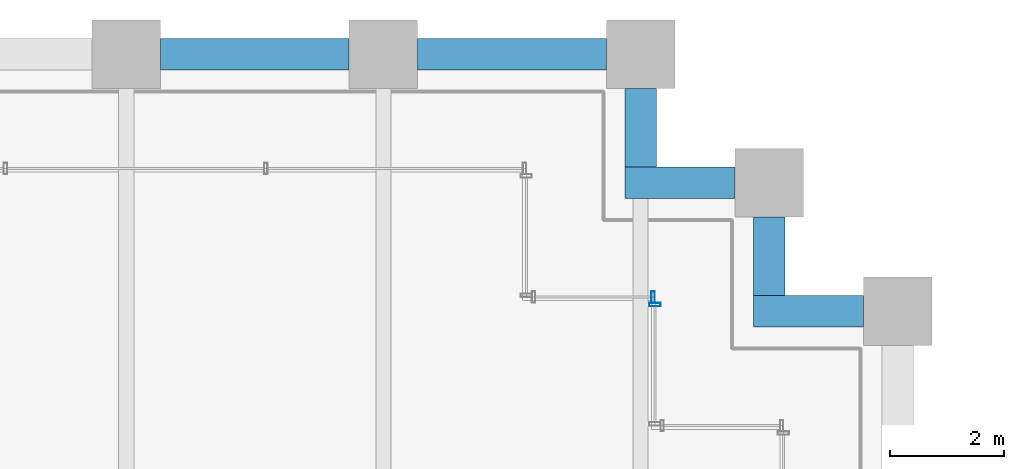
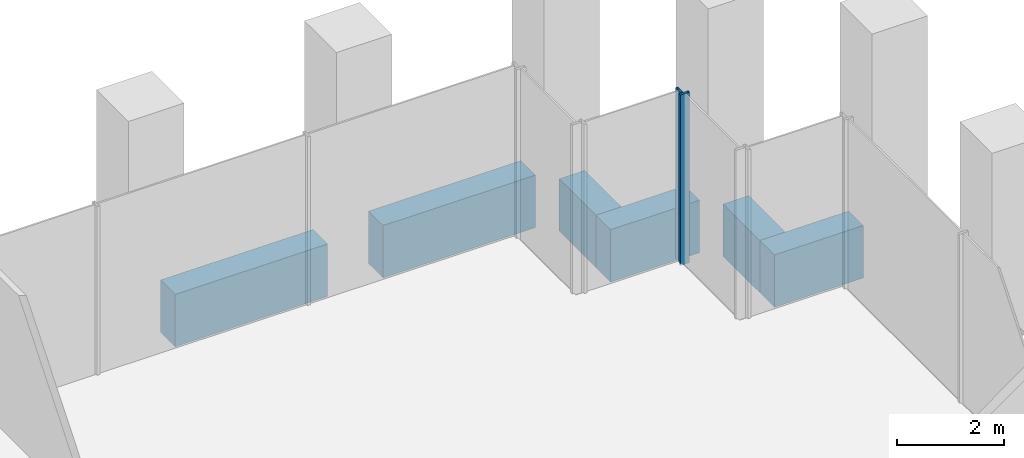
# One storey, part 18 of 36: 6 beams, 2 members, 2 elements without a shape of their own.
"""IFC4 building model written with IfcOpenShell, lengths in metres."""

import ifcopenshell
import ifcopenshell.guid

model = None  # the IFC model being written
_history = None  # IfcOwnerHistory: only IFC2X3 demands one
_inside = {}  # id of a spatial element -> (the spatial element, [elements in it])
_under = {}  # id of a project, library or spatial element -> (it, [spatial elements below it])
_declared = {}  # id of a project -> (the project, [libraries it declares])
_typed = {}  # id of a type object -> (the type object, [elements of that type])
_made_of = {}  # id of a material, layer set ... -> (it, [elements and type objects made of it])


def new_model(schema):
    """Start an empty IFC model of exactly this schema.

    Asked for "IFC4X3", IfcOpenShell would pick the latest addendum, in which some entities
    have other attributes; the version numbers below select the first issue.
    IFC2X3 requires an IfcOwnerHistory on every rooted entity: one is made here for all.
    """
    global model, _history
    if schema == "IFC4X3":
        model = ifcopenshell.file(schema_version=(4, 3, 0, 0))
    else:
        model = ifcopenshell.file(schema=schema)
    _inside.clear()
    _under.clear()
    _declared.clear()
    _typed.clear()
    _made_of.clear()
    _history = None
    if model.schema == "IFC2X3":
        org = make("IfcOrganization", Name="unknown")
        user = make(
            "IfcPersonAndOrganization",
            ThePerson=make("IfcPerson", FamilyName="unknown"),
            TheOrganization=org,
        )
        app = make(
            "IfcApplication",
            ApplicationDeveloper=org,
            Version="unknown",
            ApplicationFullName="unknown",
            ApplicationIdentifier="unknown",
        )
        _history = make(
            "IfcOwnerHistory",
            OwningUser=user,
            OwningApplication=app,
            ChangeAction="ADDED",
            CreationDate=0,
        )
    return model


def make(cls, **values):
    """One entity of the class cls with the attributes given. An attribute that is None is left unset."""
    return model.create_entity(
        cls, **{name: value for name, value in values.items() if value is not None}
    )


def rooted(cls, **values):
    """An entity with a GlobalId (a new one), such as an element, a storey or a relation."""
    return make(cls, GlobalId=ifcopenshell.guid.new(), OwnerHistory=_history, **values)


def si_unit(unit_type, name, prefix=None):
    """IfcSIUnit, for example si_unit("LENGTHUNIT", "METRE", prefix="MILLI")."""
    return make("IfcSIUnit", UnitType=unit_type, Prefix=prefix, Name=name)


def assignment(units):
    """IfcUnitAssignment: the units of a project."""
    return None if units is None else make("IfcUnitAssignment", Units=units)


def point(xyz):
    """IfcCartesianPoint."""
    return None if xyz is None else make("IfcCartesianPoint", Coordinates=xyz)


def direction(xyz):
    """IfcDirection."""
    return None if xyz is None else make("IfcDirection", DirectionRatios=xyz)


def frame(location, z_axis=None, x_axis=None):
    """IfcAxis2Placement3D, a coordinate frame: its origin and axes. An axis left out is left unset."""
    return make(
        "IfcAxis2Placement3D",
        Location=point(location),
        Axis=direction(z_axis),
        RefDirection=direction(x_axis),
    )


def frame_2d(location, x_axis=None):
    """IfcAxis2Placement2D, a coordinate frame in the plane: its origin and x axis."""
    return make(
        "IfcAxis2Placement2D", Location=point(location), RefDirection=direction(x_axis)
    )


def origin():
    """The frame at (0, 0, 0) with its axes left unset."""
    return frame((0.0, 0.0, 0.0))


def origin_2d():
    """The frame at (0, 0) in the plane with its x axis left unset."""
    return frame_2d((0.0, 0.0))


def place(relative_to, where):
    """IfcLocalPlacement: puts the frame where relative to a parent placement (None: the world)."""
    return make(
        "IfcLocalPlacement", PlacementRelTo=relative_to, RelativePlacement=where
    )


def context(
    kind, dimensions, precision=None, world=None, true_north=None, identifier=None
):
    """IfcGeometricRepresentationContext, for example the 3D "Model" context."""
    return make(
        "IfcGeometricRepresentationContext",
        ContextIdentifier=identifier,
        ContextType=kind,
        CoordinateSpaceDimension=dimensions,
        Precision=precision,
        WorldCoordinateSystem=world,
        TrueNorth=true_north,
    )


def subcontext(parent, identifier, kind, view, scale=None):
    """IfcGeometricRepresentationSubContext, for example "Body" below "Model"."""
    return make(
        "IfcGeometricRepresentationSubContext",
        ContextIdentifier=identifier,
        ContextType=kind,
        ParentContext=parent,
        TargetScale=scale,
        TargetView=view,
    )


def project(units=None, contexts=None):
    """IfcProject with its units and contexts."""
    return rooted(
        "IfcProject",
        Name="project",
        RepresentationContexts=contexts,
        UnitsInContext=assignment(units),
    )


def spatial(cls, under=None, at=None, **own):
    """A site, building, storey or space (cls), placed at a placement, below another one or the project."""
    s = rooted(cls, ObjectPlacement=at, **own)
    if under is not None:
        _under.setdefault(under.id(), (under, []))[1].append(s)
    return s


def profile(cls, at=None, kind="AREA", **sizes):
    """A parametric profile (cls). Its sizes go by their IFC names, for example OverallWidth=200.0."""
    return make(cls, ProfileType=kind, Position=at, **sizes)


def rectangle(**sizes):
    """IfcRectangleProfileDef."""
    return profile("IfcRectangleProfileDef", **sizes)


def hollow_rectangle(**sizes):
    """IfcRectangleHollowProfileDef."""
    return profile("IfcRectangleHollowProfileDef", **sizes)


def extrude(swept, where, along, depth):
    """IfcExtrudedAreaSolid: the profile swept, set in the frame where, extruded along a direction by depth."""
    return make(
        "IfcExtrudedAreaSolid",
        SweptArea=swept,
        Position=where,
        ExtrudedDirection=direction(along),
        Depth=depth,
    )


def shape(context_of_items, identifier, shape_type, items):
    """IfcShapeRepresentation: the items that make up one representation, for example the "Body"."""
    return make(
        "IfcShapeRepresentation",
        ContextOfItems=context_of_items,
        RepresentationIdentifier=identifier,
        RepresentationType=shape_type,
        Items=items,
    )


def material(Name=None, Category=None):
    """IfcMaterial."""
    return make("IfcMaterial", Name=Name, Category=Category)


def material_profile(
    of_material, cross_section, Name=None, Category=None, Priority=None
):
    """IfcMaterialProfile: a cross section and its material."""
    return make(
        "IfcMaterialProfile",
        Name=Name,
        Material=of_material,
        Profile=cross_section,
        Priority=Priority,
        Category=Category,
    )


def profile_set(profiles, Name=None, composite=None):
    """IfcMaterialProfileSet."""
    return make(
        "IfcMaterialProfileSet",
        Name=Name,
        MaterialProfiles=profiles,
        CompositeProfile=composite,
    )


def made_of(thing, what):
    """Note that an element or type object is made of a material, layer set ...; save() writes the relation."""
    if what is not None:
        _made_of.setdefault(what.id(), (what, []))[1].append(thing)
    return thing


def type_object(cls, material=None, **own):
    """A type object (cls), such as IfcWallType, which elements share."""
    return made_of(rooted(cls, **own), material)


def element(
    cls,
    number,
    at=None,
    inside=None,
    cuts=None,
    type_object=None,
    material=None,
    context=None,
    identifier="Body",
    shape_type=None,
    held_by="IfcProductDefinitionShape",
    body=None,
    shapes=None,
    **own,
):
    """One element of the class cls, such as IfcWall. Its Tag is "e" and its number.

    at: its placement. inside: the storey or other place that contains it. cuts: it is an
    opening in that element (IfcRelVoidsElement). A single representation is given by context,
    identifier, shape_type and body (its items); several are given by shapes. held_by: the class
    of the entity that holds the representations. save() writes the other relations.
    """
    e = rooted(cls, Tag="e%d" % number, ObjectPlacement=at, **own)
    if body is not None:
        shapes = [shape(context, identifier, shape_type, body)]
    if shapes is not None:
        e.Representation = make(held_by, Representations=shapes)
    if inside is not None:
        _inside.setdefault(inside.id(), (inside, []))[1].append(e)
    if cuts is not None:
        rooted(
            "IfcRelVoidsElement", RelatingBuildingElement=cuts, RelatedOpeningElement=e
        )
    if type_object is not None:
        _typed.setdefault(type_object.id(), (type_object, []))[1].append(e)
    return made_of(e, material)


def aggregate(whole, parts):
    """IfcRelAggregates: a whole, such as a stair, and the parts it consists of."""
    return rooted("IfcRelAggregates", RelatingObject=whole, RelatedObjects=parts)


def save(model, path):
    """Write the relations noted so far, then the file.

    IfcRelAggregates (storeys below a building ...), IfcRelContainedInSpatialStructure (elements
    in a storey), IfcRelDefinesByType, IfcRelAssociatesMaterial and IfcRelDeclares: one each for
    every whole, place, type object, material and project.
    """
    for whole, parts in _under.values():
        aggregate(whole, parts)
    for where, things in _inside.values():
        rooted(
            "IfcRelContainedInSpatialStructure",
            RelatedElements=things,
            RelatingStructure=where,
        )
    for kind, things in _typed.values():
        rooted("IfcRelDefinesByType", RelatedObjects=things, RelatingType=kind)
    for what, things in _made_of.values():
        rooted("IfcRelAssociatesMaterial", RelatedObjects=things, RelatingMaterial=what)
    for by, libraries in _declared.values():
        rooted("IfcRelDeclares", RelatingContext=by, RelatedDefinitions=libraries)
    model.write(path)


model = new_model("IFC4")

# Units and contexts
model_context = context("Model", 3, precision=1e-05, world=origin(), true_north=direction((0.0, 1.0)))
body_context = subcontext(model_context, "Body", "Model", "MODEL_VIEW")
ifc_project = project(units=[si_unit("LENGTHUNIT", "METRE"), si_unit("AREAUNIT", "SQUARE_METRE"), si_unit("VOLUMEUNIT", "CUBIC_METRE"), si_unit("PLANEANGLEUNIT", "RADIAN"), si_unit("MASSUNIT", "GRAM", prefix="KILO")], contexts=[model_context])

# Site, building, storey
site_placement = place(None, origin())
site = spatial("IfcSite", under=ifc_project, at=site_placement, CompositionType="ELEMENT")
building_placement = place(site_placement, origin())
building = spatial("IfcBuilding", under=site, at=building_placement, Name="Altepetl Exchange Towers", CompositionType="ELEMENT")
storey_placement = place(building_placement, frame((0.0, 0.0, 38.60009765625)))
storey = spatial("IfcBuildingStorey", under=building, at=storey_placement, Name="L08", CompositionType="ELEMENT", Elevation=38.60009765625)

# Curtain wall, member
ifc_material_1 = material(Name="Aluminium 6063-T6 glazing", Category="aluminium")
curtain_wall_type = type_object("IfcCurtainWallType", Name="Trading floor glazing system", PredefinedType="NOTDEFINED", material=ifc_material_1)
curtain_wall_1_placement = place(storey_placement, origin())
curtain_wall_1 = element("IfcCurtainWall", 1, at=curtain_wall_1_placement, inside=storey, type_object=curtain_wall_type, Name="CW2 run", PredefinedType="NOTDEFINED")
ifc_material_2 = material(Name="Aluminium 6063-T6", Category="aluminium")
ifc_material_profile_1 = material_profile(ifc_material_2, hollow_rectangle(XDim=0.06005859375, YDim=0.199951171875, WallThickness=0.0029296875, at=origin_2d()), Name="Mullion 60x200 aluminium")
ifc_profile_set_1 = profile_set([ifc_material_profile_1], Name="Aluminium 6063-T6")
member_type = type_object("IfcMemberType", Name="Mullion 60x200 aluminium", PredefinedType="MULLION", material=ifc_profile_set_1)
member_1_placement = place(storey_placement, frame((67.75, 67.6201171875, 0.0), z_axis=(0.0, 0.0, 1.0), x_axis=(0.0, 1.0, 0.0)))
member_1 = element("IfcMember", 2, at=member_1_placement, type_object=member_type, Name="MU2 mullion", PredefinedType="MULLION", context=body_context, shape_type="SweptSolid", body=[
    extrude(hollow_rectangle(XDim=0.06005859375, YDim=0.199951171875, WallThickness=0.0029296875, at=origin_2d()), origin(), (0.0, 0.0, 1.0), 3.89990234375),
])
aggregate(curtain_wall_1, [member_1])

curtain_wall_2_placement = place(storey_placement, origin())
curtain_wall_2 = element("IfcCurtainWall", 3, at=curtain_wall_2_placement, inside=storey, type_object=curtain_wall_type, Name="CW2 run", PredefinedType="NOTDEFINED")
member_2_placement = place(storey_placement, frame((67.719970703125, 67.75, 0.0), z_axis=(0.0, 0.0, 1.0), x_axis=(-1.0, 0.0, 0.0)))
member_2 = element("IfcMember", 4, at=member_2_placement, type_object=member_type, Name="MU2 mullion", PredefinedType="MULLION", context=body_context, shape_type="SweptSolid", body=[
    extrude(hollow_rectangle(XDim=0.06005859375, YDim=0.199951171875, WallThickness=0.0029296875, at=origin_2d()), origin(), (0.0, 0.0, 1.0), 3.89990234375),
])
aggregate(curtain_wall_2, [member_2])

# Beams
ifc_material_3 = material(Name="Concrete C50/60 precast with cantera rosa facing", Category="concrete")
ifc_material_profile_2 = material_profile(ifc_material_3, rectangle(XDim=0.550048828125, YDim=1.199951171875, at=origin_2d()), Name="550 x 1200")
ifc_profile_set_2 = profile_set([ifc_material_profile_2], Name="Concrete C50/60 precast with cantera rosa facing")
beam_type = type_object("IfcBeamType", Name="Spandrel beam 550x1200 cantera rosa", PredefinedType="SPANDREL", material=ifc_profile_set_2)
beam_1_placement = place(storey_placement, frame((71.39990234375, 67.5, -0.775146484375), z_axis=(-1.0, 0.0, 0.0), x_axis=(0.0, -1.0, 0.0)))
element("IfcBeam", 5, at=beam_1_placement, inside=storey, type_object=beam_type, Name="sp:A:L08:020", PredefinedType="SPANDREL", context=body_context, shape_type="SweptSolid", body=[
    extrude(rectangle(XDim=0.550048828125, YDim=1.199951171875, at=origin_2d()), origin(), (0.0, 0.0, 1.0), 1.9248046875),
])
beam_2_placement = place(storey_placement, frame((69.75, 67.77490234375, -0.775146484375), z_axis=(0.0, 1.0, 0.0), x_axis=(-1.0, 0.0, 0.0)))
element("IfcBeam", 6, at=beam_2_placement, inside=storey, type_object=beam_type, Name="sp:A:L08:021", PredefinedType="SPANDREL", context=body_context, shape_type="SweptSolid", body=[
    extrude(rectangle(XDim=0.550048828125, YDim=1.199951171875, at=origin_2d()), origin(), (0.0, 0.0, 1.0), 1.375),
])
beam_3_placement = place(storey_placement, frame((69.14990234375, 69.75, -0.775146484375), z_axis=(-1.0, 0.0, 0.0), x_axis=(0.0, -1.0, 0.0)))
element("IfcBeam", 7, at=beam_3_placement, inside=storey, type_object=beam_type, Name="sp:A:L08:022", PredefinedType="SPANDREL", context=body_context, shape_type="SweptSolid", body=[
    extrude(rectangle(XDim=0.550048828125, YDim=1.199951171875, at=origin_2d()), origin(), (0.0, 0.0, 1.0), 1.9248046875),
])
beam_4_placement = place(storey_placement, frame((67.5, 70.02490234375, -0.775146484375), z_axis=(0.0, 1.0, 0.0), x_axis=(-1.0, 0.0, 0.0)))
element("IfcBeam", 8, at=beam_4_placement, inside=storey, type_object=beam_type, Name="sp:A:L08:023", PredefinedType="SPANDREL", context=body_context, shape_type="SweptSolid", body=[
    extrude(rectangle(XDim=0.550048828125, YDim=1.199951171875, at=origin_2d()), origin(), (0.0, 0.0, 1.0), 1.375),
])
for number, where, z_axis, x_axis, name in (
    (9, (66.89990234375, 72.0, -0.775146484375), (-1.0, 0.0, 0.0), (0.0, -1.0, 0.0), "sp:A:L08:024"),
    (10, (62.39990234375, 72.0, -0.775146484375), (-1.0, 0.0, 0.0), (0.0, -1.0, 0.0), "sp:A:L08:025"),
):
    element("IfcBeam", number, at=place(storey_placement, frame(where, z_axis=z_axis, x_axis=x_axis)), inside=storey, type_object=beam_type, Name=name, PredefinedType="SPANDREL", context=body_context, shape_type="SweptSolid", body=[
        extrude(rectangle(XDim=0.550048828125, YDim=1.199951171875, at=origin_2d()), origin(), (0.0, 0.0, 1.0), 3.2998046875),
    ])

save(model, "model.ifc")
